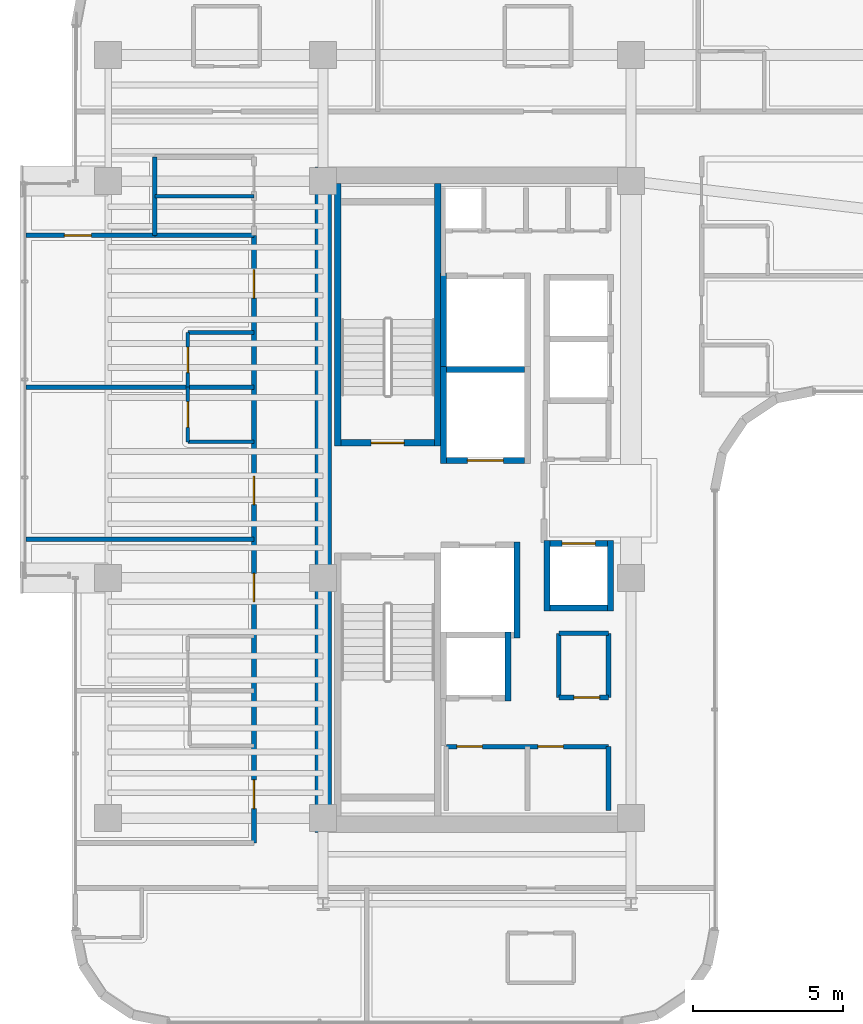
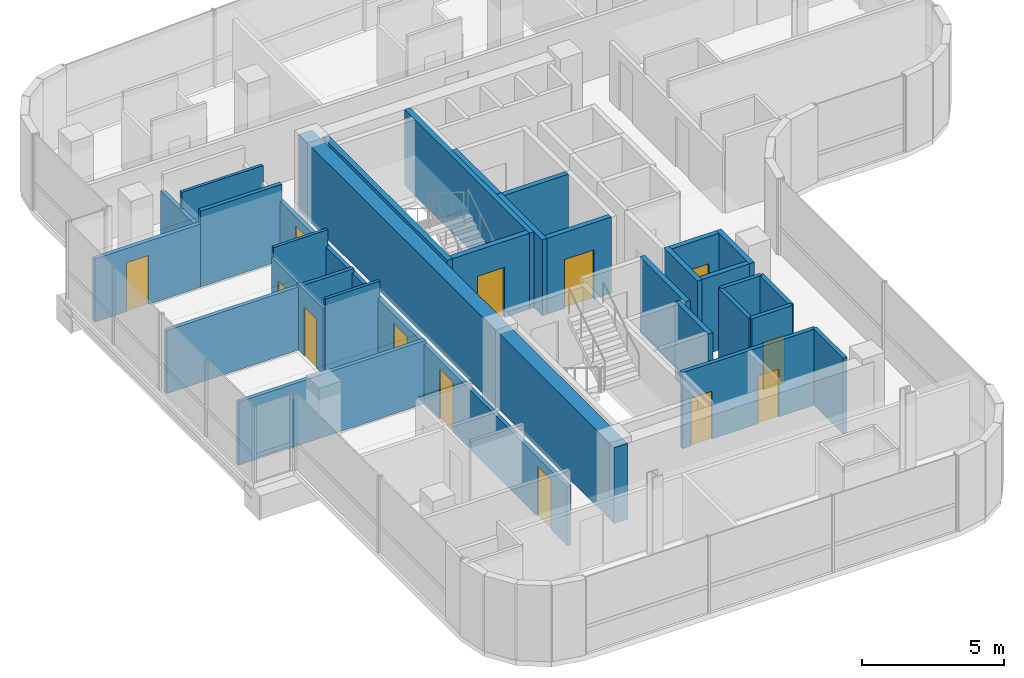
# One storey, part 17 of 22: 31 walls, 13 doors, 13 openings.
"""IFC4 building model written with IfcOpenShell, lengths in metres."""

import ifcopenshell
import ifcopenshell.guid

model = None  # the IFC model being written
_history = None  # IfcOwnerHistory: only IFC2X3 demands one
_inside = {}  # id of a spatial element -> (the spatial element, [elements in it])
_under = {}  # id of a project, library or spatial element -> (it, [spatial elements below it])
_declared = {}  # id of a project -> (the project, [libraries it declares])
_typed = {}  # id of a type object -> (the type object, [elements of that type])
_made_of = {}  # id of a material, layer set ... -> (it, [elements and type objects made of it])


def new_model(schema):
    """Start an empty IFC model of exactly this schema.

    Asked for "IFC4X3", IfcOpenShell would pick the latest addendum, in which some entities
    have other attributes; the version numbers below select the first issue.
    IFC2X3 requires an IfcOwnerHistory on every rooted entity: one is made here for all.
    """
    global model, _history
    if schema == "IFC4X3":
        model = ifcopenshell.file(schema_version=(4, 3, 0, 0))
    else:
        model = ifcopenshell.file(schema=schema)
    _inside.clear()
    _under.clear()
    _declared.clear()
    _typed.clear()
    _made_of.clear()
    _history = None
    if model.schema == "IFC2X3":
        org = make("IfcOrganization", Name="unknown")
        user = make(
            "IfcPersonAndOrganization",
            ThePerson=make("IfcPerson", FamilyName="unknown"),
            TheOrganization=org,
        )
        app = make(
            "IfcApplication",
            ApplicationDeveloper=org,
            Version="unknown",
            ApplicationFullName="unknown",
            ApplicationIdentifier="unknown",
        )
        _history = make(
            "IfcOwnerHistory",
            OwningUser=user,
            OwningApplication=app,
            ChangeAction="ADDED",
            CreationDate=0,
        )
    return model


def make(cls, **values):
    """One entity of the class cls with the attributes given. An attribute that is None is left unset."""
    return model.create_entity(
        cls, **{name: value for name, value in values.items() if value is not None}
    )


def rooted(cls, **values):
    """An entity with a GlobalId (a new one), such as an element, a storey or a relation."""
    return make(cls, GlobalId=ifcopenshell.guid.new(), OwnerHistory=_history, **values)


def si_unit(unit_type, name, prefix=None):
    """IfcSIUnit, for example si_unit("LENGTHUNIT", "METRE", prefix="MILLI")."""
    return make("IfcSIUnit", UnitType=unit_type, Prefix=prefix, Name=name)


def assignment(units):
    """IfcUnitAssignment: the units of a project."""
    return None if units is None else make("IfcUnitAssignment", Units=units)


def point(xyz):
    """IfcCartesianPoint."""
    return None if xyz is None else make("IfcCartesianPoint", Coordinates=xyz)


def direction(xyz):
    """IfcDirection."""
    return None if xyz is None else make("IfcDirection", DirectionRatios=xyz)


def frame(location, z_axis=None, x_axis=None):
    """IfcAxis2Placement3D, a coordinate frame: its origin and axes. An axis left out is left unset."""
    return make(
        "IfcAxis2Placement3D",
        Location=point(location),
        Axis=direction(z_axis),
        RefDirection=direction(x_axis),
    )


def frame_2d(location, x_axis=None):
    """IfcAxis2Placement2D, a coordinate frame in the plane: its origin and x axis."""
    return make(
        "IfcAxis2Placement2D", Location=point(location), RefDirection=direction(x_axis)
    )


def origin():
    """The frame at (0, 0, 0) with its axes left unset."""
    return frame((0.0, 0.0, 0.0))


def place(relative_to, where):
    """IfcLocalPlacement: puts the frame where relative to a parent placement (None: the world)."""
    return make(
        "IfcLocalPlacement", PlacementRelTo=relative_to, RelativePlacement=where
    )


def context(
    kind, dimensions, precision=None, world=None, true_north=None, identifier=None
):
    """IfcGeometricRepresentationContext, for example the 3D "Model" context."""
    return make(
        "IfcGeometricRepresentationContext",
        ContextIdentifier=identifier,
        ContextType=kind,
        CoordinateSpaceDimension=dimensions,
        Precision=precision,
        WorldCoordinateSystem=world,
        TrueNorth=true_north,
    )


def subcontext(parent, identifier, kind, view, scale=None):
    """IfcGeometricRepresentationSubContext, for example "Body" below "Model"."""
    return make(
        "IfcGeometricRepresentationSubContext",
        ContextIdentifier=identifier,
        ContextType=kind,
        ParentContext=parent,
        TargetScale=scale,
        TargetView=view,
    )


def project(units=None, contexts=None):
    """IfcProject with its units and contexts."""
    return rooted(
        "IfcProject",
        Name="project",
        RepresentationContexts=contexts,
        UnitsInContext=assignment(units),
    )


def spatial(cls, under=None, at=None, **own):
    """A site, building, storey or space (cls), placed at a placement, below another one or the project."""
    s = rooted(cls, ObjectPlacement=at, **own)
    if under is not None:
        _under.setdefault(under.id(), (under, []))[1].append(s)
    return s


def profile(cls, at=None, kind="AREA", **sizes):
    """A parametric profile (cls). Its sizes go by their IFC names, for example OverallWidth=200.0."""
    return make(cls, ProfileType=kind, Position=at, **sizes)


def rectangle(**sizes):
    """IfcRectangleProfileDef."""
    return profile("IfcRectangleProfileDef", **sizes)


def extrude(swept, where, along, depth):
    """IfcExtrudedAreaSolid: the profile swept, set in the frame where, extruded along a direction by depth."""
    return make(
        "IfcExtrudedAreaSolid",
        SweptArea=swept,
        Position=where,
        ExtrudedDirection=direction(along),
        Depth=depth,
    )


def shape(context_of_items, identifier, shape_type, items):
    """IfcShapeRepresentation: the items that make up one representation, for example the "Body"."""
    return make(
        "IfcShapeRepresentation",
        ContextOfItems=context_of_items,
        RepresentationIdentifier=identifier,
        RepresentationType=shape_type,
        Items=items,
    )


def material(Name=None, Category=None):
    """IfcMaterial."""
    return make("IfcMaterial", Name=Name, Category=Category)


def layer(
    of_material, thickness, ventilated=None, Name=None, Category=None, Priority=None
):
    """IfcMaterialLayer: one layer of a wall or slab, of a material (None: an air gap)."""
    return make(
        "IfcMaterialLayer",
        Material=of_material,
        LayerThickness=thickness,
        IsVentilated=ventilated,
        Name=Name,
        Category=Category,
        Priority=Priority,
    )


def layer_set(layers, Name=None):
    """IfcMaterialLayerSet."""
    return make("IfcMaterialLayerSet", MaterialLayers=layers, LayerSetName=Name)


def made_of(thing, what):
    """Note that an element or type object is made of a material, layer set ...; save() writes the relation."""
    if what is not None:
        _made_of.setdefault(what.id(), (what, []))[1].append(thing)
    return thing


def type_object(cls, material=None, **own):
    """A type object (cls), such as IfcWallType, which elements share."""
    return made_of(rooted(cls, **own), material)


def element(
    cls,
    number,
    at=None,
    inside=None,
    cuts=None,
    type_object=None,
    material=None,
    context=None,
    identifier="Body",
    shape_type=None,
    held_by="IfcProductDefinitionShape",
    body=None,
    shapes=None,
    **own,
):
    """One element of the class cls, such as IfcWall. Its Tag is "e" and its number.

    at: its placement. inside: the storey or other place that contains it. cuts: it is an
    opening in that element (IfcRelVoidsElement). A single representation is given by context,
    identifier, shape_type and body (its items); several are given by shapes. held_by: the class
    of the entity that holds the representations. save() writes the other relations.
    """
    e = rooted(cls, Tag="e%d" % number, ObjectPlacement=at, **own)
    if body is not None:
        shapes = [shape(context, identifier, shape_type, body)]
    if shapes is not None:
        e.Representation = make(held_by, Representations=shapes)
    if inside is not None:
        _inside.setdefault(inside.id(), (inside, []))[1].append(e)
    if cuts is not None:
        rooted(
            "IfcRelVoidsElement", RelatingBuildingElement=cuts, RelatedOpeningElement=e
        )
    if type_object is not None:
        _typed.setdefault(type_object.id(), (type_object, []))[1].append(e)
    return made_of(e, material)


def fill(opening, filler):
    """IfcRelFillsElement: the door or window that sits in an opening."""
    return rooted(
        "IfcRelFillsElement",
        RelatingOpeningElement=opening,
        RelatedBuildingElement=filler,
    )


def aggregate(whole, parts):
    """IfcRelAggregates: a whole, such as a stair, and the parts it consists of."""
    return rooted("IfcRelAggregates", RelatingObject=whole, RelatedObjects=parts)


def save(model, path):
    """Write the relations noted so far, then the file.

    IfcRelAggregates (storeys below a building ...), IfcRelContainedInSpatialStructure (elements
    in a storey), IfcRelDefinesByType, IfcRelAssociatesMaterial and IfcRelDeclares: one each for
    every whole, place, type object, material and project.
    """
    for whole, parts in _under.values():
        aggregate(whole, parts)
    for where, things in _inside.values():
        rooted(
            "IfcRelContainedInSpatialStructure",
            RelatedElements=things,
            RelatingStructure=where,
        )
    for kind, things in _typed.values():
        rooted("IfcRelDefinesByType", RelatedObjects=things, RelatingType=kind)
    for what, things in _made_of.values():
        rooted("IfcRelAssociatesMaterial", RelatedObjects=things, RelatingMaterial=what)
    for by, libraries in _declared.values():
        rooted("IfcRelDeclares", RelatingContext=by, RelatedDefinitions=libraries)
    model.write(path)


model = new_model("IFC4")

# Units and contexts
model_context = context("Model", 3, precision=1e-05, world=origin(), true_north=direction((0.0, 1.0)))
body_context = subcontext(model_context, "Body", "Model", "MODEL_VIEW")
ifc_project = project(units=[si_unit("LENGTHUNIT", "METRE"), si_unit("AREAUNIT", "SQUARE_METRE"), si_unit("VOLUMEUNIT", "CUBIC_METRE"), si_unit("PLANEANGLEUNIT", "RADIAN"), si_unit("MASSUNIT", "GRAM", prefix="KILO")], contexts=[model_context])

# Site, building, storey
site_placement = place(None, origin())
site = spatial("IfcSite", under=ifc_project, at=site_placement, CompositionType="ELEMENT")
building_placement = place(site_placement, origin())
building = spatial("IfcBuilding", under=site, at=building_placement, Name="Valdorenza Pilgrim Sanctuary Tower", CompositionType="ELEMENT")
storey_placement = place(building_placement, frame((0.0, 0.0, 216.0)))
storey = spatial("IfcBuildingStorey", under=building, at=storey_placement, Name="L55", CompositionType="ELEMENT", Elevation=216.0)

# Wall, openings, doors
ifc_material_1 = material(Name="Acoustic twin-stud gypsum partition", Category="gypsum")
ifc_layer_1 = layer(ifc_material_1, 0.159912109375, Name="Acoustic twin-stud gypsum partition")
ifc_layer_set_1 = layer_set([ifc_layer_1], Name="Acoustic twin-stud gypsum partition")
wall_type_1 = type_object("IfcWallType", Name="WAL-COR-160", PredefinedType="PARTITIONING", material=ifc_layer_set_1)
wall_1_placement = place(storey_placement, frame((-18.550048828125, -8.219970703125, 0.0), z_axis=(0.0, 0.0, 1.0), x_axis=(1.0, 0.0, 0.0)))
wall_1 = element("IfcWall", 1, at=wall_1_placement, inside=storey, type_object=wall_type_1, Name="L55 Freed Shaft 1 North Wall", PredefinedType="PARTITIONING", context=body_context, shape_type="SweptSolid", body=[
    extrude(rectangle(XDim=5.400146484375, YDim=0.159912109375, at=frame_2d((2.7001953125, 0.0))), origin(), (0.0, 0.0, 1.0), 3.260009765625),
])
opening_1_placement = place(wall_1_placement, frame((0.35009765625, 0.0, 0.0)))
opening_1 = element("IfcOpeningElement", 2, at=opening_1_placement, cuts=wall_1, Name="Opening DR-RS1", PredefinedType="OPENING", context=body_context, shape_type="SweptSolid", body=[
    extrude(rectangle(XDim=0.85009765625, YDim=2.050048828125, at=frame_2d((0.425048828125, 1.02490234375))), frame((0.0, 0.0947265625, 0.0), z_axis=(0.0, -1.0, 0.0), x_axis=(1.0, 0.0, 0.0)), (0.0, 0.0, 1.0), 0.189697265625),
])
opening_2_placement = place(wall_1_placement, frame((3.050048828125, 0.0, 0.0)))
opening_2 = element("IfcOpeningElement", 3, at=opening_2_placement, cuts=wall_1, Name="Opening DR-RS1", PredefinedType="OPENING", context=body_context, shape_type="SweptSolid", body=[
    extrude(rectangle(XDim=0.85009765625, YDim=2.050048828125, at=frame_2d((0.425048828125, 1.02490234375))), frame((0.0, 0.0947265625, 0.0), z_axis=(0.0, -1.0, 0.0), x_axis=(1.0, 0.0, 0.0)), (0.0, 0.0, 1.0), 0.189697265625),
])
ifc_material_2 = material(Name="Painted galvanized steel", Category="steel")
door_type_1 = type_object("IfcDoorType", Name="DR-RSR-850", OperationType="NOTDEFINED", PredefinedType="DOOR", material=ifc_material_2)
door_1_placement = place(opening_1_placement, origin())
door_1 = element("IfcDoor", 4, at=door_1_placement, inside=storey, type_object=door_type_1, Name="L55 Linen Store Door", OperationType="SINGLE_SWING_LEFT", OverallHeight=2.050048828125, OverallWidth=0.85009765625, PredefinedType="DOOR", context=body_context, shape_type="SweptSolid", body=[
    extrude(rectangle(XDim=0.85009765625, YDim=2.050048828125, at=frame_2d((0.425048828125, 1.02490234375))), frame((0.0, 0.02490234375, 0.0), z_axis=(0.0, -1.0, 0.0), x_axis=(1.0, 0.0, 0.0)), (0.0, 0.0, 1.0), 0.050048828125),
])
fill(opening_1, door_1)
door_2_placement = place(opening_2_placement, origin())
door_2 = element("IfcDoor", 5, at=door_2_placement, inside=storey, type_object=door_type_1, Name="L55 Cot Store Door", OperationType="SINGLE_SWING_RIGHT", OverallHeight=2.050048828125, OverallWidth=0.85009765625, PredefinedType="DOOR", context=body_context, shape_type="SweptSolid", body=[
    extrude(rectangle(XDim=0.85009765625, YDim=2.050048828125, at=frame_2d((0.425048828125, 1.02490234375))), frame((0.0, 0.02490234375, 0.0), z_axis=(0.0, -1.0, 0.0), x_axis=(1.0, 0.0, 0.0)), (0.0, 0.0, 1.0), 0.050048828125),
])
fill(opening_2, door_2)

# Wall
wall_2_placement = place(storey_placement, frame((-13.14990234375, -10.35009765625, 0.0), z_axis=(0.0, 0.0, 1.0), x_axis=(0.0, 1.0, 0.0)))
element("IfcWall", 6, at=wall_2_placement, inside=storey, type_object=wall_type_1, Name="L55 Freed Shaft 1 East Wall", PredefinedType="PARTITIONING", context=body_context, shape_type="SweptSolid", body=[
    extrude(rectangle(XDim=2.130126953125, YDim=0.159912109375, at=frame_2d((1.06494140625, 0.0))), origin(), (0.0, 0.0, 1.0), 3.260009765625),
])

# Wall, opening, door
wall_3_placement = place(storey_placement, frame((-14.800048828125, -6.580078125, 0.0), z_axis=(0.0, 0.0, 1.0), x_axis=(1.0, 0.0, 0.0)))
wall_3 = element("IfcWall", 7, at=wall_3_placement, inside=storey, type_object=wall_type_1, Name="L55 Freed Shaft 2 South Wall", PredefinedType="PARTITIONING", context=body_context, shape_type="SweptSolid", body=[
    extrude(rectangle(XDim=1.650146484375, YDim=0.159912109375, at=frame_2d((0.8251953125, 0.0))), origin(), (0.0, 0.0, 1.0), 3.260009765625),
])
opening_3_placement = place(wall_3_placement, frame((0.5, 0.0, 0.0)))
opening_3 = element("IfcOpeningElement", 8, at=opening_3_placement, cuts=wall_3, Name="Opening DR-RS1", PredefinedType="OPENING", context=body_context, shape_type="SweptSolid", body=[
    extrude(rectangle(XDim=0.85009765625, YDim=2.050048828125, at=frame_2d((0.425048828125, 1.02490234375))), frame((0.0, 0.0947265625, 0.0), z_axis=(0.0, -1.0, 0.0), x_axis=(1.0, 0.0, 0.0)), (0.0, 0.0, 1.0), 0.189697265625),
])
door_3_placement = place(opening_3_placement, origin())
door_3 = element("IfcDoor", 9, at=door_3_placement, inside=storey, type_object=door_type_1, Name="L55 Guest Tea Pantry Door", OperationType="SINGLE_SWING_LEFT", OverallHeight=2.050048828125, OverallWidth=0.85009765625, PredefinedType="DOOR", context=body_context, shape_type="SweptSolid", body=[
    extrude(rectangle(XDim=0.85009765625, YDim=2.050048828125, at=frame_2d((0.425048828125, 1.02490234375))), frame((0.0, 0.02490234375, 0.0), z_axis=(0.0, -1.0, 0.0), x_axis=(1.0, 0.0, 0.0)), (0.0, 0.0, 1.0), 0.050048828125),
])
fill(opening_3, door_3)

# Walls
wall_4_placement = place(storey_placement, frame((-13.14990234375, -6.580078125, 0.0), z_axis=(0.0, 0.0, 1.0), x_axis=(0.0, 1.0, 0.0)))
element("IfcWall", 10, at=wall_4_placement, inside=storey, type_object=wall_type_1, Name="L55 Freed Shaft 2 East Wall", PredefinedType="PARTITIONING", context=body_context, shape_type="SweptSolid", body=[
    extrude(rectangle(XDim=2.130126953125, YDim=0.159912109375, at=frame_2d((1.06494140625, 0.0))), origin(), (0.0, 0.0, 1.0), 3.260009765625),
])
wall_5_placement = place(storey_placement, frame((-28.25, 8.800048828125, 0.0), z_axis=(0.0, 0.0, 1.0), x_axis=(0.0, 1.0, 0.0)))
element("IfcWall", 11, at=wall_5_placement, inside=storey, type_object=wall_type_1, Name="L55 Washroom West Wall", PredefinedType="PARTITIONING", context=body_context, shape_type="SweptSolid", body=[
    extrude(rectangle(XDim=2.599853515625, YDim=0.159912109375, at=frame_2d((1.2998046875, 0.0))), origin(), (0.0, 0.0, 1.0), 2.5439453125),
])
wall_6_placement = place(storey_placement, frame((-28.25, 8.800048828125, 0.0), z_axis=(0.0, 0.0, 1.0), x_axis=(1.0, 0.0, 0.0)))
element("IfcWall", 12, at=wall_6_placement, inside=storey, type_object=wall_type_1, Name="L55 Washroom South Wall", PredefinedType="PARTITIONING", context=body_context, shape_type="SweptSolid", body=[
    extrude(rectangle(XDim=3.300048828125, YDim=0.159912109375, at=frame_2d((1.64990234375, 0.0))), origin(), (0.0, 0.0, 1.0), 3.260009765625),
])

# Wall, openings, doors
wall_7_placement = place(storey_placement, frame((-24.949951171875, -11.419921875, 0.0), z_axis=(0.0, 0.0, 1.0), x_axis=(0.0, 1.0, 0.0)))
wall_7 = element("IfcWall", 13, at=wall_7_placement, inside=storey, type_object=wall_type_1, Name="L55 West Wing Corridor Wall", PredefinedType="PARTITIONING", context=body_context, shape_type="SweptSolid", body=[
    extrude(rectangle(XDim=20.219970703125, YDim=0.159912109375, at=frame_2d((10.10986328125, 0.0))), origin(), (0.0, 0.0, 1.0), 2.5439453125),
])
opening_4_placement = place(wall_7_placement, frame((1.14208984375, 0.0, 0.0)))
opening_4 = element("IfcOpeningElement", 14, at=opening_4_placement, cuts=wall_7, Name="Opening DR-UN1", PredefinedType="OPENING", context=body_context, shape_type="SweptSolid", body=[
    extrude(rectangle(XDim=0.949951171875, YDim=2.14990234375, at=frame_2d((0.47509765625, 1.074951171875))), frame((0.0, 0.0947265625, 0.0), z_axis=(0.0, -1.0, 0.0), x_axis=(1.0, 0.0, 0.0)), (0.0, 0.0, 1.0), 0.189697265625),
])
opening_5_placement = place(wall_7_placement, frame((8.01806640625, 0.0, 0.0)))
opening_5 = element("IfcOpeningElement", 15, at=opening_5_placement, cuts=wall_7, Name="Opening DR-UN1", PredefinedType="OPENING", context=body_context, shape_type="SweptSolid", body=[
    extrude(rectangle(XDim=0.949951171875, YDim=2.14990234375, at=frame_2d((0.47509765625, 1.074951171875))), frame((0.0, 0.0947265625, 0.0), z_axis=(0.0, -1.0, 0.0), x_axis=(1.0, 0.0, 0.0)), (0.0, 0.0, 1.0), 0.189697265625),
])
opening_6_placement = place(wall_7_placement, frame((11.251953125, 0.0, 0.0)))
opening_6 = element("IfcOpeningElement", 16, at=opening_6_placement, cuts=wall_7, Name="Opening DR-UN1", PredefinedType="OPENING", context=body_context, shape_type="SweptSolid", body=[
    extrude(rectangle(XDim=0.949951171875, YDim=2.14990234375, at=frame_2d((0.47509765625, 1.074951171875))), frame((0.0, 0.0947265625, 0.0), z_axis=(0.0, -1.0, 0.0), x_axis=(1.0, 0.0, 0.0)), (0.0, 0.0, 1.0), 0.189697265625),
])
opening_7_placement = place(wall_7_placement, frame((18.126953125, 0.0, 0.0)))
opening_7 = element("IfcOpeningElement", 17, at=opening_7_placement, cuts=wall_7, Name="Opening DR-UN1", PredefinedType="OPENING", context=body_context, shape_type="SweptSolid", body=[
    extrude(rectangle(XDim=0.949951171875, YDim=2.14990234375, at=frame_2d((0.47509765625, 1.074951171875))), frame((0.0, 0.0947265625, 0.0), z_axis=(0.0, -1.0, 0.0), x_axis=(1.0, 0.0, 0.0)), (0.0, 0.0, 1.0), 0.189697265625),
])
ifc_material_3 = material(Name="Solid-core European oak timber", Category="wood")
door_type_2 = type_object("IfcDoorType", Name="DR-UNIT-950", OperationType="NOTDEFINED", PredefinedType="DOOR", material=ifc_material_3)
door_4_placement = place(opening_4_placement, origin())
door_4 = element("IfcDoor", 18, at=door_4_placement, inside=storey, type_object=door_type_2, Name="L55 Pilgrim Guest Room L55-W1 Entrance Door", OperationType="SINGLE_SWING_RIGHT", OverallHeight=2.14990234375, OverallWidth=0.949951171875, PredefinedType="DOOR", context=body_context, shape_type="SweptSolid", body=[
    extrude(rectangle(XDim=0.949951171875, YDim=2.14990234375, at=frame_2d((0.47509765625, 1.074951171875))), frame((0.0, 0.02490234375, 0.0), z_axis=(0.0, -1.0, 0.0), x_axis=(1.0, 0.0, 0.0)), (0.0, 0.0, 1.0), 0.050048828125),
])
fill(opening_4, door_4)
door_5_placement = place(opening_5_placement, origin())
door_5 = element("IfcDoor", 19, at=door_5_placement, inside=storey, type_object=door_type_2, Name="L55 Pilgrim Guest Room L55-W2 Entrance Door", OperationType="SINGLE_SWING_RIGHT", OverallHeight=2.14990234375, OverallWidth=0.949951171875, PredefinedType="DOOR", context=body_context, shape_type="SweptSolid", body=[
    extrude(rectangle(XDim=0.949951171875, YDim=2.14990234375, at=frame_2d((0.47509765625, 1.074951171875))), frame((0.0, 0.02490234375, 0.0), z_axis=(0.0, -1.0, 0.0), x_axis=(1.0, 0.0, 0.0)), (0.0, 0.0, 1.0), 0.050048828125),
])
fill(opening_5, door_5)
door_6_placement = place(opening_6_placement, origin())
door_6 = element("IfcDoor", 20, at=door_6_placement, inside=storey, type_object=door_type_2, Name="L55 Pilgrim Guest Room L55-W3 Entrance Door", OperationType="SINGLE_SWING_RIGHT", OverallHeight=2.14990234375, OverallWidth=0.949951171875, PredefinedType="DOOR", context=body_context, shape_type="SweptSolid", body=[
    extrude(rectangle(XDim=0.949951171875, YDim=2.14990234375, at=frame_2d((0.47509765625, 1.074951171875))), frame((0.0, 0.02490234375, 0.0), z_axis=(0.0, -1.0, 0.0), x_axis=(1.0, 0.0, 0.0)), (0.0, 0.0, 1.0), 0.050048828125),
])
fill(opening_6, door_6)
door_7_placement = place(opening_7_placement, origin())
door_7 = element("IfcDoor", 21, at=door_7_placement, inside=storey, type_object=door_type_2, Name="L55 Pilgrim Guest Room L55-W4 Entrance Door", OperationType="SINGLE_SWING_RIGHT", OverallHeight=2.14990234375, OverallWidth=0.949951171875, PredefinedType="DOOR", context=body_context, shape_type="SweptSolid", body=[
    extrude(rectangle(XDim=0.949951171875, YDim=2.14990234375, at=frame_2d((0.47509765625, 1.074951171875))), frame((0.0, 0.02490234375, 0.0), z_axis=(0.0, -1.0, 0.0), x_axis=(1.0, 0.0, 0.0)), (0.0, 0.0, 1.0), 0.050048828125),
])
fill(opening_7, door_7)

# Wall, opening, door
wall_8_placement = place(storey_placement, frame((-32.5400390625, 8.800048828125, 0.0), z_axis=(0.0, 0.0, 1.0), x_axis=(1.0, 0.0, 0.0)))
wall_8 = element("IfcWall", 22, at=wall_8_placement, inside=storey, type_object=wall_type_1, Name="L55 West North Alcove Wall", PredefinedType="PARTITIONING", context=body_context, shape_type="SweptSolid", body=[
    extrude(rectangle(XDim=4.2900390625, YDim=0.159912109375, at=frame_2d((2.14501953125, 0.0))), origin(), (0.0, 0.0, 1.0), 2.7060546875),
])
opening_8_placement = place(wall_8_placement, frame((1.280029296875, 0.0, 0.0)))
opening_8 = element("IfcOpeningElement", 23, at=opening_8_placement, cuts=wall_8, Name="Opening DR-RM1", PredefinedType="OPENING", context=body_context, shape_type="SweptSolid", body=[
    extrude(rectangle(XDim=0.89990234375, YDim=2.10009765625, at=frame_2d((0.449951171875, 1.050048828125))), frame((0.0, 0.0947265625, 0.0), z_axis=(0.0, -1.0, 0.0), x_axis=(1.0, 0.0, 0.0)), (0.0, 0.0, 1.0), 0.189697265625),
])
door_type_3 = type_object("IfcDoorType", Name="DR-ROOM-900", OperationType="NOTDEFINED", PredefinedType="DOOR", material=ifc_material_3)
door_8_placement = place(opening_8_placement, frame((0.89990234375, 0.0, 0.0), z_axis=(0.0, 0.0, 1.0), x_axis=(-1.0, 0.0, 0.0)))
door_8 = element("IfcDoor", 24, at=door_8_placement, inside=storey, type_object=door_type_3, Name="L55 Pilgrim Scholar Office L55-WN Door", OperationType="SINGLE_SWING_LEFT", OverallHeight=2.10009765625, OverallWidth=0.89990234375, PredefinedType="DOOR", context=body_context, shape_type="SweptSolid", body=[
    extrude(rectangle(XDim=0.89990234375, YDim=2.10009765625, at=frame_2d((0.449951171875, 1.050048828125))), frame((0.0, 0.02490234375, 0.0), z_axis=(0.0, -1.0, 0.0), x_axis=(1.0, 0.0, 0.0)), (0.0, 0.0, 1.0), 0.050048828125),
])
fill(opening_8, door_8)

# Walls
ifc_material_4 = material(Name="Concrete C50/60", Category="concrete")
ifc_layer_2 = layer(ifc_material_4, 0.550048828125, Name="Concrete C50/60")
ifc_layer_set_2 = layer_set([ifc_layer_2], Name="Concrete C50/60")
wall_type_2 = type_object("IfcWallType", Name="WAL-COR-550", PredefinedType="SHEAR", material=ifc_layer_set_2)
wall_9_placement = place(storey_placement, frame((-22.64990234375, -11.074951171875, 0.0), z_axis=(0.0, 0.0, 1.0), x_axis=(0.0, 1.0, 0.0)))
element("IfcWall", 25, at=wall_9_placement, inside=storey, type_object=wall_type_2, Name="L55 Split Core A Shear Wall W", PredefinedType="SHEAR", context=body_context, shape_type="SweptSolid", body=[
    extrude(rectangle(XDim=22.14990234375, YDim=0.550048828125, at=frame_2d((11.074951171875, 0.0))), origin(), (0.0, 0.0, 1.0), 3.260009765625),
])
ifc_material_5 = material(Name="Moisture-resistant gypsum partition", Category="gypsum")
ifc_layer_3 = layer(ifc_material_5, 0.1201171875, Name="Moisture-resistant gypsum partition")
ifc_layer_set_3 = layer_set([ifc_layer_3], Name="Moisture-resistant gypsum partition")
wall_type_3 = type_object("IfcWallType", Name="WAL-INT-120", PredefinedType="PARTITIONING", material=ifc_layer_set_3)
wall_10_placement = place(storey_placement, frame((-28.25, 10.10009765625, 0.0), z_axis=(0.0, 0.0, 1.0), x_axis=(1.0, 0.0, 0.0)))
element("IfcWall", 26, at=wall_10_placement, inside=storey, type_object=wall_type_3, Name="L55 Washroom Divider Wall", PredefinedType="PARTITIONING", context=body_context, shape_type="SweptSolid", body=[
    extrude(rectangle(XDim=3.300048828125, YDim=0.1201171875, at=frame_2d((1.64990234375, 0.0))), origin(), (0.0, 0.0, 1.0), 3.260009765625),
])
wall_11_placement = place(storey_placement, frame((-27.14990234375, 1.925048828125, 0.0), z_axis=(0.0, 0.0, 1.0), x_axis=(1.0, 0.0, 0.0)))
element("IfcWall", 27, at=wall_11_placement, inside=storey, type_object=wall_type_3, Name="L55 Pilgrim Guest Room L55-W3 En-suite South Wall", PredefinedType="PARTITIONING", context=body_context, shape_type="SweptSolid", body=[
    extrude(rectangle(XDim=2.199951171875, YDim=0.1201171875, at=frame_2d((1.10009765625, 0.0))), origin(), (0.0, 0.0, 1.0), 3.260009765625),
])

# Wall, opening, door
wall_12_placement = place(storey_placement, frame((-27.14990234375, 1.925048828125, 0.0), z_axis=(0.0, 0.0, 1.0), x_axis=(0.0, 1.0, 0.0)))
wall_12 = element("IfcWall", 28, at=wall_12_placement, inside=storey, type_object=wall_type_3, Name="L55 Pilgrim Guest Room L55-W3 En-suite Door Wall", PredefinedType="PARTITIONING", context=body_context, shape_type="SweptSolid", body=[
    extrude(rectangle(XDim=1.820068359375, YDim=0.1201171875, at=frame_2d((0.91015625, 0.0))), origin(), (0.0, 0.0, 1.0), 2.839111328125),
])
opening_9_placement = place(wall_12_placement, frame((0.485107421875, 0.0, 0.0)))
opening_9 = element("IfcOpeningElement", 29, at=opening_9_placement, cuts=wall_12, Name="Opening DR-WC1", PredefinedType="OPENING", context=body_context, shape_type="SweptSolid", body=[
    extrude(rectangle(XDim=0.85009765625, YDim=2.10009765625, at=frame_2d((0.425048828125, 1.050048828125))), frame((0.0, 0.074951171875, 0.0), z_axis=(0.0, -1.0, 0.0), x_axis=(1.0, 0.0, 0.0)), (0.0, 0.0, 1.0), 0.14990234375),
])
ifc_material_6 = material(Name="Moisture-resistant lacquered timber", Category="wood")
door_type_4 = type_object("IfcDoorType", Name="DR-BATH-850", OperationType="NOTDEFINED", PredefinedType="DOOR", material=ifc_material_6)
door_9_placement = place(opening_9_placement, origin())
door_9 = element("IfcDoor", 30, at=door_9_placement, inside=storey, type_object=door_type_4, Name="L55 Pilgrim Guest Room L55-W3 En-suite Bathroom Door", OperationType="SINGLE_SWING_LEFT", OverallHeight=2.10009765625, OverallWidth=0.85009765625, PredefinedType="DOOR", context=body_context, shape_type="SweptSolid", body=[
    extrude(rectangle(XDim=0.85009765625, YDim=2.10009765625, at=frame_2d((0.425048828125, 1.050048828125))), frame((0.0, 0.02490234375, 0.0), z_axis=(0.0, -1.0, 0.0), x_axis=(1.0, 0.0, 0.0)), (0.0, 0.0, 1.0), 0.050048828125),
])
fill(opening_9, door_9)

# Wall
wall_13_placement = place(storey_placement, frame((-27.14990234375, 5.56494140625, 0.0), z_axis=(0.0, 0.0, 1.0), x_axis=(1.0, 0.0, 0.0)))
element("IfcWall", 31, at=wall_13_placement, inside=storey, type_object=wall_type_3, Name="L55 Pilgrim Guest Room L55-W4 En-suite North Wall", PredefinedType="PARTITIONING", context=body_context, shape_type="SweptSolid", body=[
    extrude(rectangle(XDim=2.199951171875, YDim=0.1201171875, at=frame_2d((1.10009765625, 0.0))), origin(), (0.0, 0.0, 1.0), 3.260009765625),
])

# Wall, opening, door
wall_14_placement = place(storey_placement, frame((-27.14990234375, 3.7451171875, 0.0), z_axis=(0.0, 0.0, 1.0), x_axis=(0.0, 1.0, 0.0)))
wall_14 = element("IfcWall", 32, at=wall_14_placement, inside=storey, type_object=wall_type_3, Name="L55 Pilgrim Guest Room L55-W4 En-suite Door Wall", PredefinedType="PARTITIONING", context=body_context, shape_type="SweptSolid", body=[
    extrude(rectangle(XDim=1.81982421875, YDim=0.1201171875, at=frame_2d((0.909912109375, 0.0))), origin(), (0.0, 0.0, 1.0), 2.839111328125),
])
opening_10_placement = place(wall_14_placement, frame((0.485107421875, 0.0, 0.0)))
opening_10 = element("IfcOpeningElement", 33, at=opening_10_placement, cuts=wall_14, Name="Opening DR-WC1", PredefinedType="OPENING", context=body_context, shape_type="SweptSolid", body=[
    extrude(rectangle(XDim=0.85009765625, YDim=2.10009765625, at=frame_2d((0.425048828125, 1.050048828125))), frame((0.0, 0.074951171875, 0.0), z_axis=(0.0, -1.0, 0.0), x_axis=(1.0, 0.0, 0.0)), (0.0, 0.0, 1.0), 0.14990234375),
])
door_10_placement = place(opening_10_placement, origin())
door_10 = element("IfcDoor", 34, at=door_10_placement, inside=storey, type_object=door_type_4, Name="L55 Pilgrim Guest Room L55-W4 En-suite Bathroom Door", OperationType="SINGLE_SWING_LEFT", OverallHeight=2.10009765625, OverallWidth=0.85009765625, PredefinedType="DOOR", context=body_context, shape_type="SweptSolid", body=[
    extrude(rectangle(XDim=0.85009765625, YDim=2.10009765625, at=frame_2d((0.425048828125, 1.050048828125))), frame((0.0, 0.02490234375, 0.0), z_axis=(0.0, -1.0, 0.0), x_axis=(1.0, 0.0, 0.0)), (0.0, 0.0, 1.0), 0.050048828125),
])
fill(opening_10, door_10)

# Wall
ifc_material_7 = material(Name="Autoclaved aerated concrete blockwork", Category="masonry")
ifc_layer_4 = layer(ifc_material_7, 0.199951171875, Name="Autoclaved aerated concrete blockwork")
ifc_layer_set_4 = layer_set([ifc_layer_4], Name="Autoclaved aerated concrete blockwork")
wall_type_4 = type_object("IfcWallType", Name="WAL-SHF-200", PredefinedType="MOVABLE", material=ifc_layer_set_4)
wall_15_placement = place(storey_placement, frame((-18.64990234375, 1.199951171875, 0.0), z_axis=(0.0, 0.0, 1.0), x_axis=(0.0, 1.0, 0.0)))
element("IfcWall", 35, at=wall_15_placement, inside=storey, type_object=wall_type_4, Name="L55 Lift FFL-01 Hoistway Wall West", PredefinedType="MOVABLE", context=body_context, shape_type="SweptSolid", body=[
    extrude(rectangle(XDim=3.22509765625, YDim=0.199951171875, at=frame_2d((1.612548828125, 0.0))), origin(), (0.0, 0.0, 1.0), 3.260009765625),
])

# Wall, opening, door
wall_16_placement = place(storey_placement, frame((-18.550048828125, 1.300048828125, 0.0), z_axis=(0.0, 0.0, 1.0), x_axis=(1.0, 0.0, 0.0)))
wall_16 = element("IfcWall", 36, at=wall_16_placement, inside=storey, type_object=wall_type_4, Name="L55 Lift FFL-01 Hoistway Wall South", PredefinedType="MOVABLE", context=body_context, shape_type="SweptSolid", body=[
    extrude(rectangle(XDim=2.60009765625, YDim=0.199951171875, at=frame_2d((1.300048828125, 0.0))), origin(), (0.0, 0.0, 1.0), 3.260009765625),
])
opening_11_placement = place(wall_16_placement, frame((0.699951171875, 0.0, 0.0)))
opening_11 = element("IfcOpeningElement", 37, at=opening_11_placement, cuts=wall_16, Name="Opening LD-02", PredefinedType="OPENING", context=body_context, shape_type="SweptSolid", body=[
    extrude(rectangle(XDim=1.199951171875, YDim=2.10009765625, at=frame_2d((0.60009765625, 1.050048828125))), frame((0.0, 0.11474609375, 0.0), z_axis=(0.0, -1.0, 0.0), x_axis=(1.0, 0.0, 0.0)), (0.0, 0.0, 1.0), 0.229736328125),
])
ifc_material_8 = material(Name="Brushed stainless steel Grade 316", Category="steel")
door_type_5 = type_object("IfcDoorType", Name="DR-LFT-1200", OperationType="DOUBLE_DOOR_SLIDING", PredefinedType="DOOR", material=ifc_material_8)
door_11_placement = place(opening_11_placement, origin())
door_11 = element("IfcDoor", 38, at=door_11_placement, inside=storey, type_object=door_type_5, Name="L55 Lift FFL-01 Sliding Landing Door", OperationType="DOUBLE_DOOR_SLIDING", OverallHeight=2.10009765625, OverallWidth=1.199951171875, PredefinedType="DOOR", context=body_context, shape_type="SweptSolid", body=[
    extrude(rectangle(XDim=1.199951171875, YDim=2.10009765625, at=frame_2d((0.60009765625, 1.050048828125))), frame((0.0, 0.02490234375, 0.0), z_axis=(0.0, -1.0, 0.0), x_axis=(1.0, 0.0, 0.0)), (0.0, 0.0, 1.0), 0.050048828125),
])
fill(opening_11, door_11)

# Walls
wall_17_placement = place(storey_placement, frame((-18.550048828125, 4.324951171875, 0.0), z_axis=(0.0, 0.0, 1.0), x_axis=(1.0, 0.0, 0.0)))
element("IfcWall", 39, at=wall_17_placement, inside=storey, type_object=wall_type_4, Name="L55 Lift FFL-01 Hoistway Wall North", PredefinedType="MOVABLE", context=body_context, shape_type="SweptSolid", body=[
    extrude(rectangle(XDim=2.60009765625, YDim=0.199951171875, at=frame_2d((1.300048828125, 0.0))), origin(), (0.0, 0.0, 1.0), 3.260009765625),
])
wall_18_placement = place(storey_placement, frame((-16.199951171875, -4.60009765625, 0.0), z_axis=(0.0, 0.0, 1.0), x_axis=(0.0, 1.0, 0.0)))
element("IfcWall", 40, at=wall_18_placement, inside=storey, type_object=wall_type_4, Name="L55 Lift FFL-02 Hoistway Wall East", PredefinedType="MOVABLE", context=body_context, shape_type="SweptSolid", body=[
    extrude(rectangle(XDim=3.2001953125, YDim=0.199951171875, at=frame_2d((1.60009765625, 0.0))), origin(), (0.0, 0.0, 1.0), 3.260009765625),
])
wall_19_placement = place(storey_placement, frame((-18.64990234375, 4.22509765625, 0.0), z_axis=(0.0, 0.0, 1.0), x_axis=(0.0, 1.0, 0.0)))
element("IfcWall", 41, at=wall_19_placement, inside=storey, type_object=wall_type_4, Name="L55 Lift SVL-01 Hoistway Wall West", PredefinedType="MOVABLE", context=body_context, shape_type="SweptSolid", body=[
    extrude(rectangle(XDim=3.324951171875, YDim=0.199951171875, at=frame_2d((1.66259765625, 0.0))), origin(), (0.0, 0.0, 1.0), 3.260009765625),
])
wall_20_placement = place(storey_placement, frame((-16.5, -6.699951171875, 0.0), z_axis=(0.0, 0.0, 1.0), x_axis=(0.0, 1.0, 0.0)))
element("IfcWall", 42, at=wall_20_placement, inside=storey, type_object=wall_type_4, Name="L55 Lift PL-11 Hoistway Wall East", PredefinedType="MOVABLE", context=body_context, shape_type="SweptSolid", body=[
    extrude(rectangle(XDim=2.300048828125, YDim=0.199951171875, at=frame_2d((1.14990234375, 0.0))), origin(), (0.0, 0.0, 1.0), 3.260009765625),
])
for number, where, z_axis, x_axis, name in (
    (43, (-15.199951171875, -3.699951171875, 0.0), (0.0, 0.0, 1.0), (0.0, 1.0, 0.0), "L55 Lift PL-12 Hoistway Wall West"),
    (44, (-13.080078125, -3.699951171875, 0.0), (0.0, 0.0, 1.0), (0.0, 1.0, 0.0), "L55 Lift PL-12 Hoistway Wall East"),
):
    element("IfcWall", number, at=place(storey_placement, frame(where, z_axis=z_axis, x_axis=x_axis)), inside=storey, type_object=wall_type_4, Name=name, PredefinedType="MOVABLE", context=body_context, shape_type="SweptSolid", body=[
        extrude(rectangle(XDim=2.349853515625, YDim=0.199951171875, at=frame_2d((1.1748046875, 0.0))), origin(), (0.0, 0.0, 1.0), 3.260009765625),
    ])
wall_21_placement = place(storey_placement, frame((-15.10009765625, -3.60009765625, 0.0), z_axis=(0.0, 0.0, 1.0), x_axis=(1.0, 0.0, 0.0)))
element("IfcWall", 45, at=wall_21_placement, inside=storey, type_object=wall_type_4, Name="L55 Lift PL-12 Hoistway Wall South", PredefinedType="MOVABLE", context=body_context, shape_type="SweptSolid", body=[
    extrude(rectangle(XDim=1.920166015625, YDim=0.199951171875, at=frame_2d((0.9599609375, 0.0))), origin(), (0.0, 0.0, 1.0), 3.260009765625),
])

# Wall, opening, door
wall_22_placement = place(storey_placement, frame((-15.10009765625, -1.449951171875, 0.0), z_axis=(0.0, 0.0, 1.0), x_axis=(1.0, 0.0, 0.0)))
wall_22 = element("IfcWall", 46, at=wall_22_placement, inside=storey, type_object=wall_type_4, Name="L55 Lift PL-12 Hoistway Wall North", PredefinedType="MOVABLE", context=body_context, shape_type="SweptSolid", body=[
    extrude(rectangle(XDim=1.920166015625, YDim=0.199951171875, at=frame_2d((0.9599609375, 0.0))), origin(), (0.0, 0.0, 1.0), 3.260009765625),
])
opening_12_placement = place(wall_22_placement, frame((0.409912109375, 0.0, 0.0)))
opening_12 = element("IfcOpeningElement", 47, at=opening_12_placement, cuts=wall_22, Name="Opening LD-01", PredefinedType="OPENING", context=body_context, shape_type="SweptSolid", body=[
    extrude(rectangle(XDim=1.10009765625, YDim=2.10009765625, at=frame_2d((0.550048828125, 1.050048828125))), frame((0.0, 0.11474609375, 0.0), z_axis=(0.0, -1.0, 0.0), x_axis=(1.0, 0.0, 0.0)), (0.0, 0.0, 1.0), 0.229736328125),
])
door_type_6 = type_object("IfcDoorType", Name="DR-LFT-1100", OperationType="DOUBLE_DOOR_SLIDING", PredefinedType="DOOR", material=ifc_material_8)
door_12_placement = place(opening_12_placement, origin())
door_12 = element("IfcDoor", 48, at=door_12_placement, inside=storey, type_object=door_type_6, Name="L55 Lift PL-12 Sliding Landing Door", OperationType="DOUBLE_DOOR_SLIDING", OverallHeight=2.10009765625, OverallWidth=1.10009765625, PredefinedType="DOOR", context=body_context, shape_type="SweptSolid", body=[
    extrude(rectangle(XDim=1.10009765625, YDim=2.10009765625, at=frame_2d((0.550048828125, 1.050048828125))), frame((0.0, 0.02490234375, 0.0), z_axis=(0.0, -1.0, 0.0), x_axis=(1.0, 0.0, 0.0)), (0.0, 0.0, 1.0), 0.050048828125),
])
fill(opening_12, door_12)

# Walls
ifc_material_9 = material(Name="Concrete C40/50", Category="concrete")
ifc_layer_5 = layer(ifc_material_9, 0.219970703125, Name="Concrete C40/50")
ifc_layer_set_5 = layer_set([ifc_layer_5], Name="Concrete C40/50")
wall_type_5 = type_object("IfcWallType", Name="WAL-STR-SHF-220", PredefinedType="SHEAR", material=ifc_layer_set_5)
for number, where, z_axis, x_axis, name in (
    (49, (-22.159912109375, 1.780029296875, 0.0), (0.0, 0.0, 1.0), (0.0, 1.0, 0.0), "L55 ST-A1 Structural Stairwell Wall W"),
    (50, (-18.830078125, 1.780029296875, 0.0), (0.0, 0.0, 1.0), (0.0, 1.0, 0.0), "L55 ST-A1 Structural Stairwell Wall E"),
):
    element("IfcWall", number, at=place(storey_placement, frame(where, z_axis=z_axis, x_axis=x_axis)), inside=storey, type_object=wall_type_5, Name=name, PredefinedType="SHEAR", context=body_context, shape_type="SweptSolid", body=[
        extrude(rectangle(XDim=8.744873046875, YDim=0.219970703125, at=frame_2d((4.37255859375, 0.0))), origin(), (0.0, 0.0, 1.0), 3.260009765625),
    ])

# Wall, opening, door
wall_23_placement = place(storey_placement, frame((-22.050048828125, 1.889892578125, 0.0), z_axis=(0.0, 0.0, 1.0), x_axis=(1.0, 0.0, 0.0)))
wall_23 = element("IfcWall", 51, at=wall_23_placement, inside=storey, type_object=wall_type_5, Name="L55 ST-A1 Structural Stairwell Wall S", PredefinedType="SHEAR", context=body_context, shape_type="SweptSolid", body=[
    extrude(rectangle(XDim=3.110107421875, YDim=0.219970703125, at=frame_2d((1.55517578125, 0.0))), origin(), (0.0, 0.0, 1.0), 3.260009765625),
])
opening_13_placement = place(wall_23_placement, frame((1.0, 0.0, 0.0)))
opening_13 = element("IfcOpeningElement", 52, at=opening_13_placement, cuts=wall_23, Name="Opening DR-ST1", PredefinedType="OPENING", context=body_context, shape_type="SweptSolid", body=[
    extrude(rectangle(XDim=1.10009765625, YDim=2.14990234375, at=frame_2d((0.550048828125, 1.074951171875))), frame((0.0, 0.125, 0.0), z_axis=(0.0, -1.0, 0.0), x_axis=(1.0, 0.0, 0.0)), (0.0, 0.0, 1.0), 0.249755859375),
])
door_type_7 = type_object("IfcDoorType", Name="DR-STAIR-1100", OperationType="NOTDEFINED", PredefinedType="DOOR", material=ifc_material_2)
door_13_placement = place(opening_13_placement, frame((1.10009765625, 0.0, 0.0), z_axis=(0.0, 0.0, 1.0), x_axis=(-1.0, 0.0, 0.0)))
door_13 = element("IfcDoor", 53, at=door_13_placement, inside=storey, type_object=door_type_7, Name="L55 Exit Stair ST-A1 Door", OperationType="SINGLE_SWING_LEFT", OverallHeight=2.14990234375, OverallWidth=1.10009765625, PredefinedType="DOOR", context=body_context, shape_type="SweptSolid", body=[
    extrude(rectangle(XDim=1.10009765625, YDim=2.14990234375, at=frame_2d((0.550048828125, 1.074951171875))), frame((0.0, 0.02490234375, 0.0), z_axis=(0.0, -1.0, 0.0), x_axis=(1.0, 0.0, 0.0)), (0.0, 0.0, 1.0), 0.050048828125),
])
fill(opening_13, door_13)

# Walls
ifc_layer_6 = layer(ifc_material_1, 0.14990234375, Name="Acoustic twin-stud gypsum partition")
ifc_layer_set_6 = layer_set([ifc_layer_6], Name="Acoustic twin-stud gypsum partition")
wall_type_6 = type_object("IfcWallType", Name="WAL-UNT-150", PredefinedType="PARTITIONING", material=ifc_layer_set_6)
wall_24_placement = place(storey_placement, frame((-14.800048828125, -6.580078125, 0.0), z_axis=(0.0, 0.0, 1.0), x_axis=(0.0, 1.0, 0.0)))
element("IfcWall", 54, at=wall_24_placement, inside=storey, type_object=wall_type_6, Name="L55 Freed Shaft 2 West Wall", PredefinedType="PARTITIONING", context=body_context, shape_type="SweptSolid", body=[
    extrude(rectangle(XDim=2.130126953125, YDim=0.14990234375, at=frame_2d((1.06494140625, 0.0))), origin(), (0.0, 0.0, 1.0), 3.260009765625),
])
wall_25_placement = place(storey_placement, frame((-14.800048828125, -4.449951171875, 0.0), z_axis=(0.0, 0.0, 1.0), x_axis=(1.0, 0.0, 0.0)))
element("IfcWall", 55, at=wall_25_placement, inside=storey, type_object=wall_type_6, Name="L55 Freed Shaft 2 North Wall", PredefinedType="PARTITIONING", context=body_context, shape_type="SweptSolid", body=[
    extrude(rectangle(XDim=1.650146484375, YDim=0.14990234375, at=frame_2d((0.8251953125, 0.0))), origin(), (0.0, 0.0, 1.0), 3.260009765625),
])
for number, where, z_axis, x_axis, name in (
    (56, (-32.5400390625, -1.31005859375, 0.0), (0.0, 0.0, 1.0), (1.0, 0.0, 0.0), "L55 West Demising 2"),
    (57, (-32.5400390625, 3.7451171875, 0.0), (0.0, 0.0, 1.0), (1.0, 0.0, 0.0), "L55 West Demising 3"),
):
    element("IfcWall", number, at=place(storey_placement, frame(where, z_axis=z_axis, x_axis=x_axis)), inside=storey, type_object=wall_type_6, Name=name, PredefinedType="PARTITIONING", context=body_context, shape_type="SweptSolid", body=[
        extrude(rectangle(XDim=7.590087890625, YDim=0.14990234375, at=frame_2d((3.794921875, 0.0))), origin(), (0.0, 0.0, 1.0), 2.7060546875),
    ])

save(model, "model.ifc")
